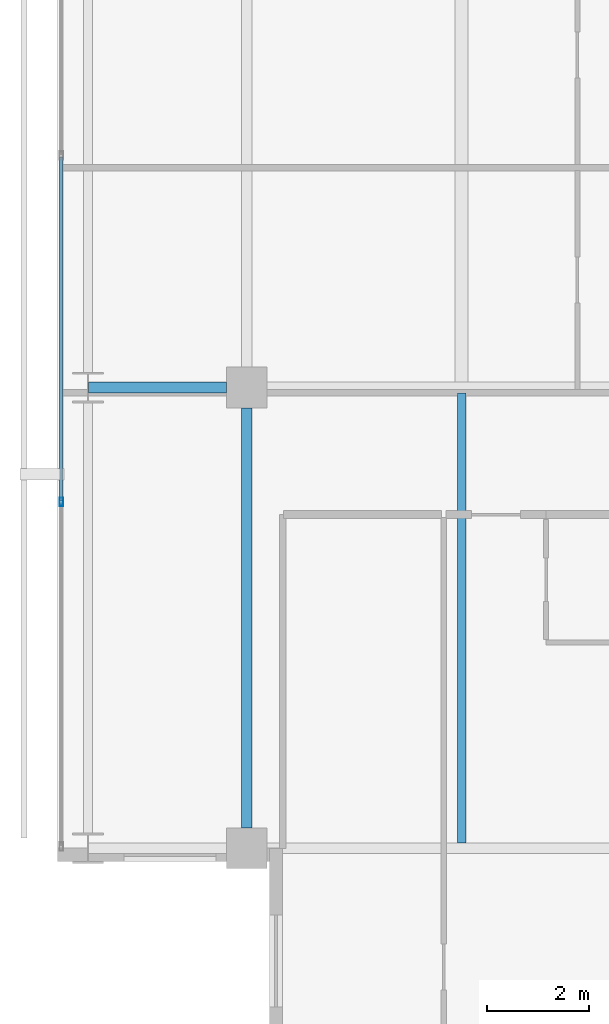
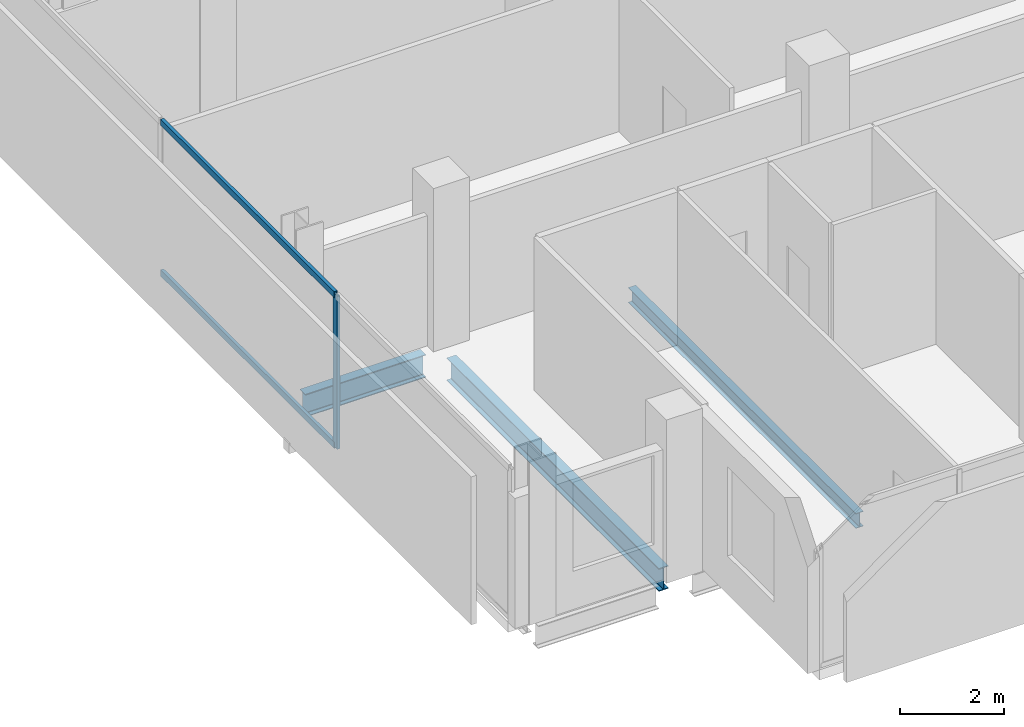
# One storey, part 4 of 34: 3 beams, 3 members, 1 element without a shape of its own.
"""IFC4 building model written with IfcOpenShell, lengths in metres."""

from ifc_helpers import new_model, si_unit, direction, frame, origin, origin_2d, place, context, subcontext, project, spatial, hollow_rectangle, i_section, extrude, material, layer, layer_set, material_profile, profile_set, type_object, element, aggregate, save


model = new_model("IFC4")

# Units and contexts
model_context = context("Model", 3, precision=1e-05, world=origin(), true_north=direction((0.0, 1.0)))
body_context = subcontext(model_context, "Body", "Model", "MODEL_VIEW")
ifc_project = project(units=[si_unit("LENGTHUNIT", "METRE"), si_unit("AREAUNIT", "SQUARE_METRE"), si_unit("VOLUMEUNIT", "CUBIC_METRE"), si_unit("PLANEANGLEUNIT", "RADIAN"), si_unit("MASSUNIT", "GRAM", prefix="KILO")], contexts=[model_context])

# Site, building, storey
site_placement = place(None, origin())
site = spatial("IfcSite", under=ifc_project, at=site_placement, CompositionType="ELEMENT")
building_placement = place(site_placement, origin())
building = spatial("IfcBuilding", under=site, at=building_placement, Name="Maruvema Waterfront Hotel and Observation Tower", CompositionType="ELEMENT")
storey_placement = place(building_placement, frame((0.0, 0.0, 208.25)))
storey = spatial("IfcBuildingStorey", under=building, at=storey_placement, Name="L51", CompositionType="ELEMENT", Elevation=208.25)

# Curtain wall, members
ifc_material_1 = material(Name="Anodised bronze aluminium and solar-control low-E IGU", Category="aluminium")
ifc_layer = layer(ifc_material_1, 0.159912109375, Name="Zone 2 Amber Inner Thermal Curtain Wall System CW-03")
ifc_layer_set = layer_set([ifc_layer], Name="Anodised bronze aluminium and solar-control low-E IGU")
curtain_wall_type = type_object("IfcCurtainWallType", Name="Zone 2 Amber Inner Thermal Curtain Wall System CW-03", PredefinedType="USERDEFINED", material=ifc_layer_set)
curtain_wall_placement = place(storey_placement, origin())
curtain_wall = element("IfcCurtainWall", 1, at=curtain_wall_placement, inside=storey, type_object=curtain_wall_type, Name="L51 Curtain Wall CW-L51-W", ObjectType="UNITISED CURTAIN WALL", PredefinedType="USERDEFINED")
ifc_material_2 = material(Name="Anodised architectural bronze aluminium", Category="aluminium")
ifc_material_profile_1 = material_profile(ifc_material_2, hollow_rectangle(XDim=0.070068359375, YDim=0.14990234375, WallThickness=0.00390625, at=origin_2d()), Name="ALU-T70x150")
ifc_profile_set_1 = profile_set([ifc_material_profile_1], Name="Anodised architectural bronze aluminium")
member_type_1 = type_object("IfcMemberType", Name="Curtain Wall Horizontal Transom ALU-T70x150", PredefinedType="USERDEFINED", material=ifc_profile_set_1)
member_1_placement = place(storey_placement, frame((13.179931640625, 22.50341796875, 0.030029296875), z_axis=(0.0, -1.0, 0.0), x_axis=(1.0, 0.0, 0.0)))
member_1 = element("IfcMember", 2, at=member_1_placement, type_object=member_type_1, Name="CW-03 transom 5.1", ObjectType="TRANSOM", PredefinedType="USERDEFINED", context=body_context, shape_type="SweptSolid", body=[
    extrude(hollow_rectangle(XDim=0.070068359375, YDim=0.14990234375, WallThickness=0.00390625, at=origin_2d()), origin(), (0.0, 0.0, 1.0), 6.706787109375),
])
member_2_placement = place(storey_placement, frame((13.179931640625, 22.50341796875, 3.580078125), z_axis=(0.0, -1.0, 0.0), x_axis=(1.0, 0.0, 0.0)))
member_2 = element("IfcMember", 3, at=member_2_placement, type_object=member_type_1, Name="CW-03 transom 5.2", ObjectType="TRANSOM", PredefinedType="USERDEFINED", context=body_context, shape_type="SweptSolid", body=[
    extrude(hollow_rectangle(XDim=0.070068359375, YDim=0.14990234375, WallThickness=0.00390625, at=origin_2d()), origin(), (0.0, 0.0, 1.0), 6.706787109375),
])
ifc_material_3 = material(Name="Anodised architectural bronze aluminium", Category="aluminium")
ifc_material_profile_2 = material_profile(ifc_material_3, hollow_rectangle(XDim=0.06494140625, YDim=0.1650390625, WallThickness=0.00390625, at=origin_2d()), Name="ALU-M65x165")
ifc_profile_set_2 = profile_set([ifc_material_profile_2], Name="Anodised architectural bronze aluminium")
member_type_2 = type_object("IfcMemberType", Name="Curtain Wall Primary Mullion ALU-M65x165", PredefinedType="MULLION", material=ifc_profile_set_2)
member_3_placement = place(storey_placement, frame((13.179931640625, 15.7666015625, 0.0), z_axis=(0.0, 0.0, 1.0), x_axis=(1.0, 0.0, 0.0)))
member_3 = element("IfcMember", 4, at=member_3_placement, type_object=member_type_2, Name="CW-03 mullion 6", PredefinedType="MULLION", context=body_context, shape_type="SweptSolid", body=[
    extrude(hollow_rectangle(XDim=0.06494140625, YDim=0.1650390625, WallThickness=0.00390625, at=origin_2d()), origin(), (0.0, 0.0, 1.0), 3.610107421875),
])
aggregate(curtain_wall, [member_3, member_1, member_2])

# Beams
ifc_material_4 = material(Name="Steel ASTM A572 Grade 50", Category="steel")
ifc_material_profile_3 = material_profile(ifc_material_4, i_section(OverallWidth=0.2109375, OverallDepth=0.5390625, WebThickness=0.01171875, FlangeThickness=0.018798828125, FilletRadius=0.014892578125, at=origin_2d()), Name="W530x109.0")
ifc_profile_set_3 = profile_set([ifc_material_profile_3], Name="Steel ASTM A572 Grade 50")
beam_type_1 = type_object("IfcBeamType", Name="Primary Floor Girder W530x109.0", PredefinedType="BEAM", material=ifc_profile_set_3)
beam_1_placement = place(storey_placement, frame((13.71240234375, 18.0, -0.509521484375), z_axis=(1.0, 0.0, 0.0), x_axis=(0.0, 1.0, 0.0)))
element("IfcBeam", 5, at=beam_1_placement, inside=storey, type_object=beam_type_1, Name="L51 Floor Girder EW-11", PredefinedType="BEAM", context=body_context, shape_type="SweptSolid", body=[
    extrude(i_section(OverallWidth=0.2109375, OverallDepth=0.5390625, WebThickness=0.01171875, FlangeThickness=0.018798828125, FilletRadius=0.014892578125, at=origin_2d()), origin(), (0.0, 0.0, 1.0), 2.6875),
])
beam_2_placement = place(storey_placement, frame((16.800048828125, 9.39990234375, -0.509521484375), z_axis=(0.0, 1.0, 0.0), x_axis=(-1.0, 0.0, 0.0)))
element("IfcBeam", 6, at=beam_2_placement, inside=storey, type_object=beam_type_1, Name="L51 Floor Girder NS-05", PredefinedType="BEAM", context=body_context, shape_type="SweptSolid", body=[
    extrude(i_section(OverallWidth=0.2109375, OverallDepth=0.5390625, WebThickness=0.01171875, FlangeThickness=0.018798828125, FilletRadius=0.014892578125, at=origin_2d()), origin(), (0.0, 0.0, 1.0), 8.2001953125),
])
ifc_material_5 = material(Name="Steel ASTM A572 Grade 50", Category="steel")
ifc_material_profile_4 = material_profile(ifc_material_5, i_section(OverallWidth=0.1708984375, OverallDepth=0.35498046875, WebThickness=0.007080078125, FlangeThickness=0.01171875, FilletRadius=0.014892578125, at=origin_2d()), Name="W360x51.0")
ifc_profile_set_4 = profile_set([ifc_material_profile_4], Name="Steel ASTM A572 Grade 50")
beam_type_2 = type_object("IfcBeamType", Name="Secondary Floor Joist W360x51.0", PredefinedType="JOIST", material=ifc_profile_set_4)
beam_3_placement = place(storey_placement, frame((21.0, 9.10546875, -0.41748046875), z_axis=(0.0, 1.0, 0.0), x_axis=(-1.0, 0.0, 0.0)))
element("IfcBeam", 7, at=beam_3_placement, inside=storey, type_object=beam_type_2, Name="L51 Secondary Floor Joist JS-01", PredefinedType="JOIST", context=body_context, shape_type="SweptSolid", body=[
    extrude(i_section(OverallWidth=0.1708984375, OverallDepth=0.35498046875, WebThickness=0.007080078125, FlangeThickness=0.01171875, FilletRadius=0.014892578125, at=origin_2d()), origin(), (0.0, 0.0, 1.0), 8.7890625),
])

save(model, "model.ifc")
